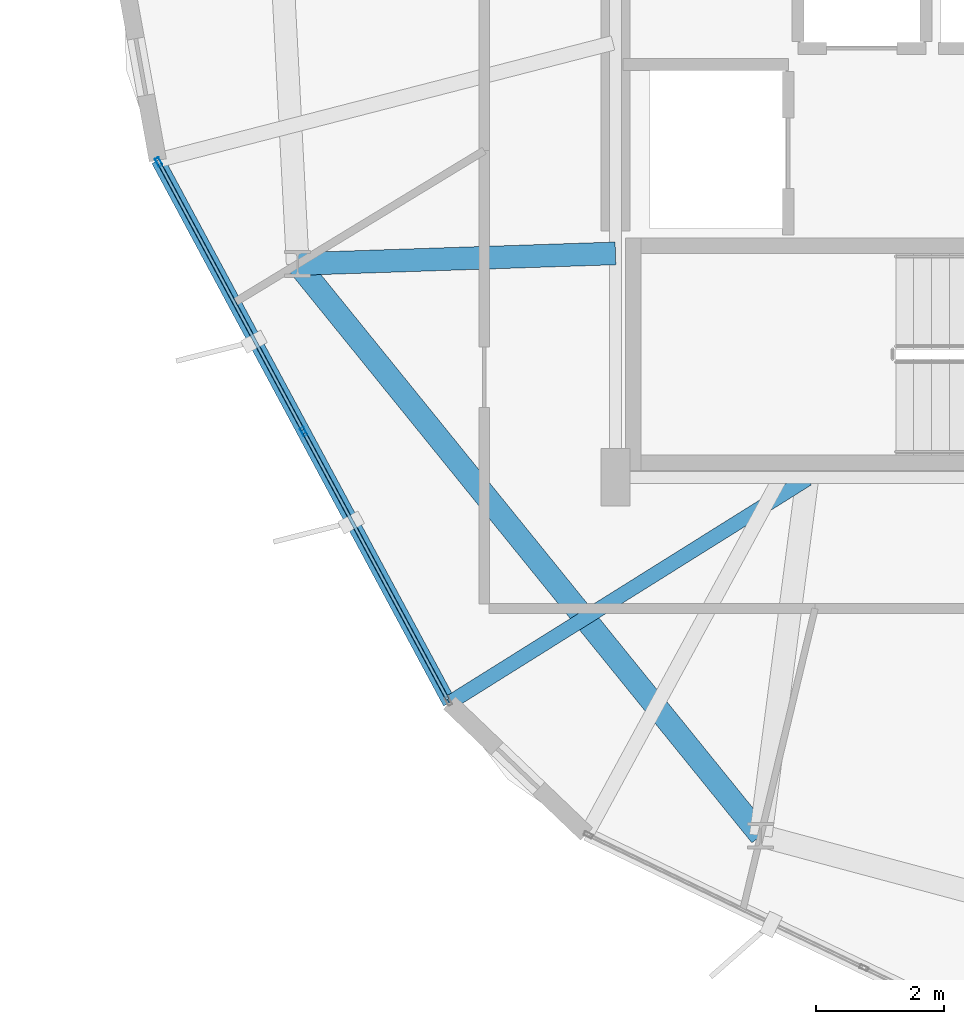
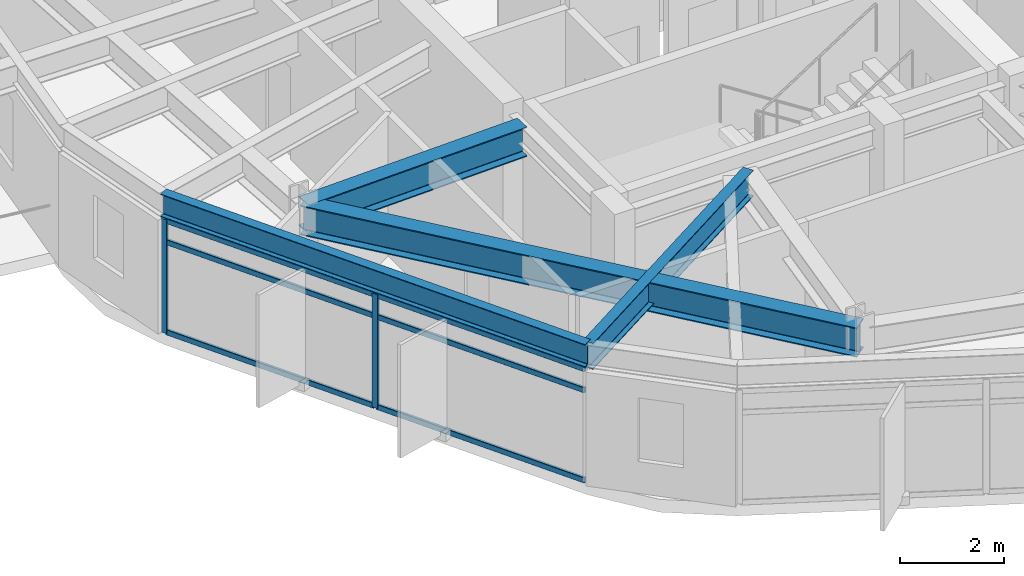
# One storey, part 3 of 27: 8 members, 4 beams, 1 element without a shape of its own.
"""IFC4 building model written with IfcOpenShell, lengths in metres."""

from ifc_helpers import new_model, si_unit, direction, frame, origin, origin_2d, place, context, subcontext, project, spatial, hollow_rectangle, i_section, extrude, material, layer, layer_set, material_profile, profile_set, type_object, element, aggregate, save


model = new_model("IFC4")

# Units and contexts
model_context = context("Model", 3, precision=1e-05, world=origin(), true_north=direction((0.0, 1.0)))
body_context = subcontext(model_context, "Body", "Model", "MODEL_VIEW")
ifc_project = project(units=[si_unit("LENGTHUNIT", "METRE"), si_unit("AREAUNIT", "SQUARE_METRE"), si_unit("VOLUMEUNIT", "CUBIC_METRE"), si_unit("PLANEANGLEUNIT", "RADIAN"), si_unit("MASSUNIT", "GRAM", prefix="KILO")], contexts=[model_context])

# Site, building, storey
site_placement = place(None, origin())
site = spatial("IfcSite", under=ifc_project, at=site_placement, CompositionType="ELEMENT")
building_placement = place(site_placement, origin())
building = spatial("IfcBuilding", under=site, at=building_placement, Name="Soratama Intermodal Tower", CompositionType="ELEMENT")
storey_placement = place(building_placement, frame((0.0, 0.0, 208.60009765625)))
storey = spatial("IfcBuildingStorey", under=building, at=storey_placement, Name="L52", CompositionType="ELEMENT", Elevation=208.60009765625)

# Beams
ifc_material_1 = material(Name="Structural steel ASTM A992 Grade 50", Category="steel")
ifc_material_profile_1 = material_profile(ifc_material_1, i_section(OverallWidth=0.35498046875, OverallDepth=0.695068359375, WebThickness=0.015380859375, FlangeThickness=0.02490234375, FilletRadius=0.01611328125, at=origin_2d()), Name="W27X146")
ifc_profile_set_1 = profile_set([ifc_material_profile_1], Name="Structural steel ASTM A992 Grade 50")
beam_type_1 = type_object("IfcBeamType", Name="BM-RING-W27X146", PredefinedType="BEAM", material=ifc_profile_set_1)
beam_1_placement = place(storey_placement, frame((27.635009765625, 18.333984375, 2.952392578125), z_axis=(0.629384551156, -0.777094001242, 0.0), x_axis=(0.777094001242, 0.629384551156, 0.0)))
element("IfcBeam", 1, at=beam_1_placement, inside=storey, type_object=beam_type_1, Name="BM-L52-RING-06", PredefinedType="BEAM", context=body_context, shape_type="SweptSolid", body=[
    extrude(i_section(OverallWidth=0.35498046875, OverallDepth=0.695068359375, WebThickness=0.015380859375, FlangeThickness=0.02490234375, FilletRadius=0.01611328125, at=origin_2d()), origin(), (0.0, 0.0, 1.0), 11.49560546875),
])
beam_2_placement = place(storey_placement, frame((32.60009765625, 18.5, 2.952392578125), z_axis=(-0.999441465401, -0.033417917907, 0.0), x_axis=(0.033417917907, -0.999441465401, 0.0)))
element("IfcBeam", 2, at=beam_2_placement, inside=storey, type_object=beam_type_1, Name="BM-L52-RAD-06", PredefinedType="BEAM", context=body_context, shape_type="SweptSolid", body=[
    extrude(i_section(OverallWidth=0.35498046875, OverallDepth=0.695068359375, WebThickness=0.015380859375, FlangeThickness=0.02490234375, FilletRadius=0.01611328125, at=origin_2d()), origin(), (0.0, 0.0, 1.0), 4.9677734375),
])
ifc_material_2 = material(Name="Structural steel ASTM A992 Grade 50", Category="steel")
ifc_material_profile_2 = material_profile(ifc_material_2, i_section(OverallWidth=0.2099609375, OverallDepth=0.537109375, WebThickness=0.010986328125, FlangeThickness=0.017333984375, FilletRadius=0.012939453125, at=origin_2d()), Name="W21X68")
ifc_profile_set_2 = profile_set([ifc_material_profile_2], Name="Structural steel ASTM A992 Grade 50")
beam_type_2 = type_object("IfcBeamType", Name="BM-SPN-W21X68", PredefinedType="SPANDREL", material=ifc_profile_set_2)
beam_3_placement = place(storey_placement, frame((25.448974609375, 19.9541015625, 3.031494140625), z_axis=(0.473500679423, -0.880793452851, 0.0), x_axis=(0.880793452851, 0.473500679423, 0.0)))
element("IfcBeam", 3, at=beam_3_placement, inside=storey, type_object=beam_type_2, Name="BS-L52-F05", PredefinedType="SPANDREL", context=body_context, shape_type="SweptSolid", body=[
    extrude(i_section(OverallWidth=0.2099609375, OverallDepth=0.537109375, WebThickness=0.010986328125, FlangeThickness=0.017333984375, FilletRadius=0.012939453125, at=origin_2d()), origin(), (0.0, 0.0, 1.0), 9.624267578125),
])
ifc_material_3 = material(Name="Structural steel ASTM A992 Grade 50", Category="steel")
ifc_material_profile_3 = material_profile(ifc_material_3, i_section(OverallWidth=0.22900390625, OverallDepth=0.612060546875, WebThickness=0.011962890625, FlangeThickness=0.01953125, FilletRadius=0.012939453125, at=origin_2d()), Name="W24X84")
ifc_profile_set_3 = profile_set([ifc_material_profile_3], Name="Structural steel ASTM A992 Grade 50")
beam_type_3 = type_object("IfcBeamType", Name="BM-TIE-W24X84", PredefinedType="BEAM", material=ifc_profile_set_3)
beam_4_placement = place(storey_placement, frame((35.60009765625, 14.97900390625, 2.993896484375), z_axis=(-0.847609446823, -0.530620604252, 0.0), x_axis=(0.530620604252, -0.847609446823, 0.0)))
element("IfcBeam", 4, at=beam_4_placement, inside=storey, type_object=beam_type_3, Name="BM-L52-TIE1-05", PredefinedType="BEAM", context=body_context, shape_type="SweptSolid", body=[
    extrude(i_section(OverallWidth=0.22900390625, OverallDepth=0.612060546875, WebThickness=0.011962890625, FlangeThickness=0.01953125, FilletRadius=0.012939453125, at=origin_2d()), origin(), (0.0, 0.0, 1.0), 6.599609375),
])

# Curtain wall, members
ifc_material_4 = material(Name="Double-glazed aluminium curtain wall", Category="aluminium")
ifc_layer = layer(ifc_material_4, 0.159912109375)
ifc_layer_set = layer_set([ifc_layer], Name="Double-glazed aluminium curtain wall")
curtain_wall_type = type_object("IfcCurtainWallType", Name="CW-SYS-5", PredefinedType="NOTDEFINED", material=ifc_layer_set)
curtain_wall_placement = place(storey_placement, origin())
curtain_wall = element("IfcCurtainWall", 5, at=curtain_wall_placement, inside=storey, type_object=curtain_wall_type, Name="L52 Faceted Curtain Wall F05", PredefinedType="NOTDEFINED")
ifc_material_5 = material(Name="Anodised aluminium AA 6063-T6", Category="aluminium")
ifc_material_profile_4 = material_profile(ifc_material_5, hollow_rectangle(XDim=0.06494140625, YDim=0.139892578125, WallThickness=0.0048828125, InnerFilletRadius=0.0048828125, OuterFilletRadius=0.010009765625, at=origin_2d()), Name="CWM140X65X5")
ifc_profile_set_4 = profile_set([ifc_material_profile_4], Name="Anodised aluminium AA 6063-T6")
member_type_1 = type_object("IfcMemberType", Name="MT-CWM-5", PredefinedType="MULLION", material=ifc_profile_set_4)
member_1_placement = place(storey_placement, frame((25.463134765625, 19.92724609375, 0.0), z_axis=(0.0, 0.0, 1.0), x_axis=(0.880806522484, 0.473476366833, 0.0)))
member_1 = element("IfcMember", 6, at=member_1_placement, type_object=member_type_1, Name="CW-5 mullion 1", PredefinedType="MULLION", context=body_context, shape_type="SweptSolid", body=[
    extrude(hollow_rectangle(XDim=0.06494140625, YDim=0.139892578125, WallThickness=0.0048828125, InnerFilletRadius=0.0048828125, OuterFilletRadius=0.010009765625, at=origin_2d()), origin(), (0.0, 0.0, 1.0), 2.678955078125),
])
member_2_placement = place(storey_placement, frame((27.727294921875, 15.715087890625, 0.0), z_axis=(0.0, 0.0, 1.0), x_axis=(0.880806522484, 0.473476366833, 0.0)))
member_2 = element("IfcMember", 7, at=member_2_placement, type_object=member_type_1, Name="CW-5 mullion 2", PredefinedType="MULLION", context=body_context, shape_type="SweptSolid", body=[
    extrude(hollow_rectangle(XDim=0.06494140625, YDim=0.139892578125, WallThickness=0.0048828125, InnerFilletRadius=0.0048828125, OuterFilletRadius=0.010009765625, at=origin_2d()), origin(), (0.0, 0.0, 1.0), 2.678955078125),
])
ifc_material_6 = material(Name="Anodised aluminium AA 6063-T6", Category="aluminium")
ifc_material_profile_5 = material_profile(ifc_material_6, hollow_rectangle(XDim=0.06005859375, YDim=0.1298828125, WallThickness=0.0048828125, InnerFilletRadius=0.0048828125, OuterFilletRadius=0.010009765625, at=origin_2d()), Name="CWT130X60X5")
ifc_profile_set_5 = profile_set([ifc_material_profile_5], Name="Anodised aluminium AA 6063-T6")
member_type_2 = type_object("IfcMemberType", Name="TT-CWT-2", PredefinedType="USERDEFINED", material=ifc_profile_set_5)
member_3_placement = place(storey_placement, frame((25.477294921875, 19.90087890625, 0.02978515625), z_axis=(0.473489243016, -0.880799600788, 0.0), x_axis=(0.880799600788, 0.473489243016, 0.0)))
member_3 = element("IfcMember", 8, at=member_3_placement, type_object=member_type_2, Name="CW-5 transom 1.1", ObjectType="TRANSOM", PredefinedType="USERDEFINED", context=body_context, shape_type="SweptSolid", body=[
    extrude(hollow_rectangle(XDim=0.06005859375, YDim=0.1298828125, WallThickness=0.0048828125, InnerFilletRadius=0.0048828125, OuterFilletRadius=0.010009765625, at=origin_2d()), origin(), (0.0, 0.0, 1.0), 4.72216796875),
])
member_4_placement = place(storey_placement, frame((25.477294921875, 19.90087890625, 2.14990234375), z_axis=(0.473489243016, -0.880799600788, 0.0), x_axis=(0.880799600788, 0.473489243016, 0.0)))
member_4 = element("IfcMember", 9, at=member_4_placement, type_object=member_type_2, Name="CW-5 transom 1.2", ObjectType="TRANSOM", PredefinedType="USERDEFINED", context=body_context, shape_type="SweptSolid", body=[
    extrude(hollow_rectangle(XDim=0.06005859375, YDim=0.1298828125, WallThickness=0.0048828125, InnerFilletRadius=0.0048828125, OuterFilletRadius=0.010009765625, at=origin_2d()), origin(), (0.0, 0.0, 1.0), 4.72216796875),
])
member_5_placement = place(storey_placement, frame((25.477294921875, 19.90087890625, 2.64892578125), z_axis=(0.473489243016, -0.880799600788, 0.0), x_axis=(0.880799600788, 0.473489243016, 0.0)))
member_5 = element("IfcMember", 10, at=member_5_placement, type_object=member_type_2, Name="CW-5 transom 1.3", ObjectType="TRANSOM", PredefinedType="USERDEFINED", context=body_context, shape_type="SweptSolid", body=[
    extrude(hollow_rectangle(XDim=0.06005859375, YDim=0.1298828125, WallThickness=0.0048828125, InnerFilletRadius=0.0048828125, OuterFilletRadius=0.010009765625, at=origin_2d()), origin(), (0.0, 0.0, 1.0), 4.72216796875),
])
member_6_placement = place(storey_placement, frame((27.74169921875, 15.688720703125, 0.02978515625), z_axis=(0.473449130524, -0.880821162783, 0.0), x_axis=(0.880821162783, 0.473449130524, 0.0)))
member_6 = element("IfcMember", 11, at=member_6_placement, type_object=member_type_2, Name="CW-5 transom 2.1", ObjectType="TRANSOM", PredefinedType="USERDEFINED", context=body_context, shape_type="SweptSolid", body=[
    extrude(hollow_rectangle(XDim=0.06005859375, YDim=0.1298828125, WallThickness=0.0048828125, InnerFilletRadius=0.0048828125, OuterFilletRadius=0.010009765625, at=origin_2d()), origin(), (0.0, 0.0, 1.0), 4.721923828125),
])
member_7_placement = place(storey_placement, frame((27.74169921875, 15.688720703125, 2.14990234375), z_axis=(0.473449130524, -0.880821162783, 0.0), x_axis=(0.880821162783, 0.473449130524, 0.0)))
member_7 = element("IfcMember", 12, at=member_7_placement, type_object=member_type_2, Name="CW-5 transom 2.2", ObjectType="TRANSOM", PredefinedType="USERDEFINED", context=body_context, shape_type="SweptSolid", body=[
    extrude(hollow_rectangle(XDim=0.06005859375, YDim=0.1298828125, WallThickness=0.0048828125, InnerFilletRadius=0.0048828125, OuterFilletRadius=0.010009765625, at=origin_2d()), origin(), (0.0, 0.0, 1.0), 4.721923828125),
])
member_8_placement = place(storey_placement, frame((27.74169921875, 15.688720703125, 2.64892578125), z_axis=(0.473449130524, -0.880821162783, 0.0), x_axis=(0.880821162783, 0.473449130524, 0.0)))
member_8 = element("IfcMember", 13, at=member_8_placement, type_object=member_type_2, Name="CW-5 transom 2.3", ObjectType="TRANSOM", PredefinedType="USERDEFINED", context=body_context, shape_type="SweptSolid", body=[
    extrude(hollow_rectangle(XDim=0.06005859375, YDim=0.1298828125, WallThickness=0.0048828125, InnerFilletRadius=0.0048828125, OuterFilletRadius=0.010009765625, at=origin_2d()), origin(), (0.0, 0.0, 1.0), 4.721923828125),
])
aggregate(curtain_wall, [member_1, member_2, member_3, member_4, member_5, member_6, member_7, member_8])

save(model, "model.ifc")
